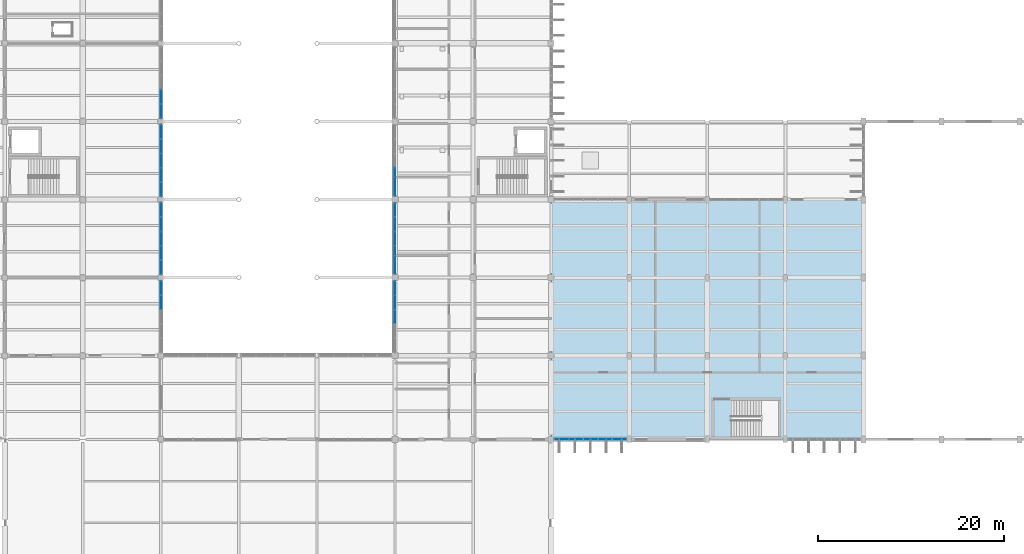
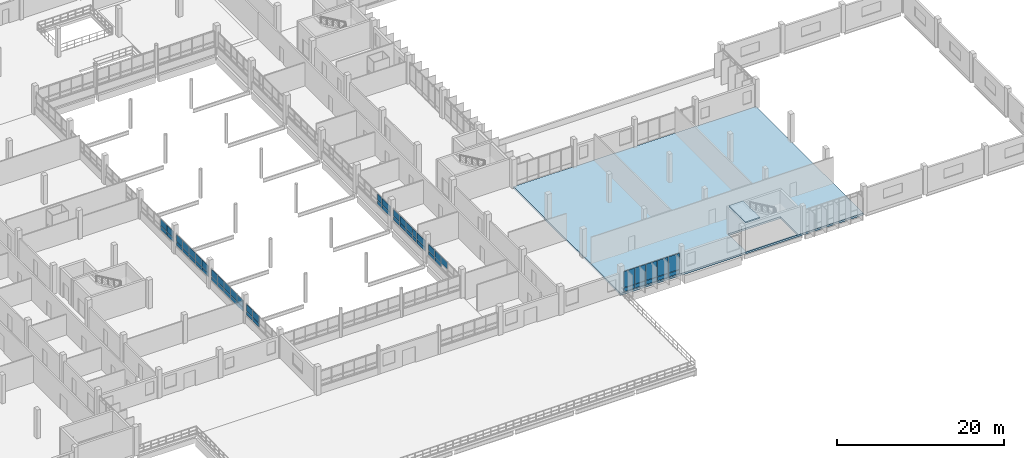
# One storey, part 74 of 101: 57 plates, 2 slabs, 1 opening, 9 elements without a shape of their own.
"""IFC4 building model written with IfcOpenShell, lengths in metres."""

from ifc_helpers import new_model, si_unit, direction, frame, origin, origin_2d, place, context, subcontext, project, spatial, polyline, rectangle, outline, extrude, material, layer, layer_set, type_object, element, aggregate, save


model = new_model("IFC4")

# Units and contexts
model_context = context("Model", 3, precision=1e-05, world=origin(), true_north=direction((0.0, 1.0)))
body_context = subcontext(model_context, "Body", "Model", "MODEL_VIEW")
ifc_project = project(units=[si_unit("LENGTHUNIT", "METRE"), si_unit("AREAUNIT", "SQUARE_METRE"), si_unit("VOLUMEUNIT", "CUBIC_METRE"), si_unit("PLANEANGLEUNIT", "RADIAN"), si_unit("MASSUNIT", "GRAM", prefix="KILO")], contexts=[model_context])

# Site, building, storey
site_placement = place(None, origin())
site = spatial("IfcSite", under=ifc_project, at=site_placement, CompositionType="ELEMENT")
building_placement = place(site_placement, origin())
building = spatial("IfcBuilding", under=site, at=building_placement, Name="Vireocrest Preparatory School", CompositionType="ELEMENT")
storey_placement = place(building_placement, frame((0.0, 0.0, 4.800048828125)))
storey = spatial("IfcBuildingStorey", under=building, at=storey_placement, Name="L01", CompositionType="ELEMENT", Elevation=4.800048828125)

# Curtain wall, plates
ifc_material_1 = material(Name="Thermally broken aluminium EN AW-6063-T6", Category="aluminium")
ifc_layer_1 = layer(ifc_material_1, 0.179931640625)
ifc_layer_set_1 = layer_set([ifc_layer_1], Name="Thermally broken aluminium EN AW-6063-T6")
curtain_wall_type_1 = type_object("IfcCurtainWallType", Name="North Street Curtain Wall 8400x4000", PredefinedType="USERDEFINED", material=ifc_layer_set_1)
curtain_wall_1_placement = place(storey_placement, origin())
curtain_wall_1 = element("IfcCurtainWall", 1, at=curtain_wall_1_placement, inside=storey, type_object=curtain_wall_type_1, Name="Curtain Wall CW05 CW_L01_CW05_1095_0180_048", ObjectType="CURTAIN WALL", PredefinedType="USERDEFINED")
ifc_material_2 = material(Name="Insulated triple low-e tempered safety glass", Category="glass")
ifc_layer_2 = layer(ifc_material_2, 0.074951171875)
ifc_layer_set_2 = layer_set([ifc_layer_2], Name="Insulated triple low-e tempered safety glass")
plate_type_1 = type_object("IfcPlateType", Name="Acoustic Triple-Glazed Lab Curtain Panel 75", PredefinedType="CURTAIN_PANEL", material=ifc_layer_set_2)
plate_1_placement = place(storey_placement, frame((110.33544921875, 18.0, 0.12744140625), z_axis=(0.0, 0.0, 1.0), x_axis=(1.0, 0.0, 0.0)))
plate_1 = element("IfcPlate", 2, at=plate_1_placement, type_object=plate_type_1, Name="CW Panel GL2 CW_L01_CW05_1095_0180_048-1-1", PredefinedType="CURTAIN_PANEL", context=body_context, shape_type="SweptSolid", body=[
    extrude(rectangle(XDim=1.486083984375, YDim=0.074951171875, at=origin_2d()), origin(), (0.0, 0.0, 1.0), 0.5400390625),
])
plate_2_placement = place(storey_placement, frame((110.33544921875, 18.0, 0.732421875), z_axis=(0.0, 0.0, 1.0), x_axis=(1.0, 0.0, 0.0)))
plate_2 = element("IfcPlate", 3, at=plate_2_placement, type_object=plate_type_1, Name="CW Panel GL2 CW_L01_CW05_1095_0180_048-1-2", PredefinedType="CURTAIN_PANEL", context=body_context, shape_type="SweptSolid", body=[
    extrude(rectangle(XDim=1.486083984375, YDim=0.074951171875, at=origin_2d()), origin(), (0.0, 0.0, 1.0), 2.35009765625),
])
plate_3_placement = place(storey_placement, frame((111.886474609375, 18.0, 0.12744140625), z_axis=(0.0, 0.0, 1.0), x_axis=(1.0, 0.0, 0.0)))
plate_3 = element("IfcPlate", 4, at=plate_3_placement, type_object=plate_type_1, Name="CW Panel GL2 CW_L01_CW05_1095_0180_048-2-1", PredefinedType="CURTAIN_PANEL", context=body_context, shape_type="SweptSolid", body=[
    extrude(rectangle(XDim=1.486083984375, YDim=0.074951171875, at=origin_2d()), origin(), (0.0, 0.0, 1.0), 0.5400390625),
])
plate_4_placement = place(storey_placement, frame((111.886474609375, 18.0, 0.732421875), z_axis=(0.0, 0.0, 1.0), x_axis=(1.0, 0.0, 0.0)))
plate_4 = element("IfcPlate", 5, at=plate_4_placement, type_object=plate_type_1, Name="CW Panel GL2 CW_L01_CW05_1095_0180_048-2-2", PredefinedType="CURTAIN_PANEL", context=body_context, shape_type="SweptSolid", body=[
    extrude(rectangle(XDim=1.486083984375, YDim=0.074951171875, at=origin_2d()), origin(), (0.0, 0.0, 1.0), 2.35009765625),
])
plate_5_placement = place(storey_placement, frame((113.4375, 18.0, 0.12744140625), z_axis=(0.0, 0.0, 1.0), x_axis=(1.0, 0.0, 0.0)))
plate_5 = element("IfcPlate", 6, at=plate_5_placement, type_object=plate_type_1, Name="CW Panel GL2 CW_L01_CW05_1095_0180_048-3-1", PredefinedType="CURTAIN_PANEL", context=body_context, shape_type="SweptSolid", body=[
    extrude(rectangle(XDim=1.486083984375, YDim=0.074951171875, at=origin_2d()), origin(), (0.0, 0.0, 1.0), 0.5400390625),
])
plate_6_placement = place(storey_placement, frame((113.4375, 18.0, 0.732421875), z_axis=(0.0, 0.0, 1.0), x_axis=(1.0, 0.0, 0.0)))
plate_6 = element("IfcPlate", 7, at=plate_6_placement, type_object=plate_type_1, Name="CW Panel GL2 CW_L01_CW05_1095_0180_048-3-2", PredefinedType="CURTAIN_PANEL", context=body_context, shape_type="SweptSolid", body=[
    extrude(rectangle(XDim=1.486083984375, YDim=0.074951171875, at=origin_2d()), origin(), (0.0, 0.0, 1.0), 2.35009765625),
])
plate_7_placement = place(storey_placement, frame((114.988525390625, 18.0, 0.12744140625), z_axis=(0.0, 0.0, 1.0), x_axis=(1.0, 0.0, 0.0)))
plate_7 = element("IfcPlate", 8, at=plate_7_placement, type_object=plate_type_1, Name="CW Panel GL2 CW_L01_CW05_1095_0180_048-4-1", PredefinedType="CURTAIN_PANEL", context=body_context, shape_type="SweptSolid", body=[
    extrude(rectangle(XDim=1.486083984375, YDim=0.074951171875, at=origin_2d()), origin(), (0.0, 0.0, 1.0), 0.5400390625),
])
plate_8_placement = place(storey_placement, frame((114.988525390625, 18.0, 0.732421875), z_axis=(0.0, 0.0, 1.0), x_axis=(1.0, 0.0, 0.0)))
plate_8 = element("IfcPlate", 9, at=plate_8_placement, type_object=plate_type_1, Name="CW Panel GL2 CW_L01_CW05_1095_0180_048-4-2", PredefinedType="CURTAIN_PANEL", context=body_context, shape_type="SweptSolid", body=[
    extrude(rectangle(XDim=1.486083984375, YDim=0.074951171875, at=origin_2d()), origin(), (0.0, 0.0, 1.0), 2.35009765625),
])
plate_9_placement = place(storey_placement, frame((116.53955078125, 18.0, 0.12744140625), z_axis=(0.0, 0.0, 1.0), x_axis=(1.0, 0.0, 0.0)))
plate_9 = element("IfcPlate", 10, at=plate_9_placement, type_object=plate_type_1, Name="CW Panel GL2 CW_L01_CW05_1095_0180_048-5-1", PredefinedType="CURTAIN_PANEL", context=body_context, shape_type="SweptSolid", body=[
    extrude(rectangle(XDim=1.486083984375, YDim=0.074951171875, at=origin_2d()), origin(), (0.0, 0.0, 1.0), 0.5400390625),
])
plate_10_placement = place(storey_placement, frame((116.53955078125, 18.0, 0.732421875), z_axis=(0.0, 0.0, 1.0), x_axis=(1.0, 0.0, 0.0)))
plate_10 = element("IfcPlate", 11, at=plate_10_placement, type_object=plate_type_1, Name="CW Panel GL2 CW_L01_CW05_1095_0180_048-5-2", PredefinedType="CURTAIN_PANEL", context=body_context, shape_type="SweptSolid", body=[
    extrude(rectangle(XDim=1.486083984375, YDim=0.074951171875, at=origin_2d()), origin(), (0.0, 0.0, 1.0), 2.35009765625),
])
aggregate(curtain_wall_1, [plate_1, plate_2, plate_3, plate_4, plate_5, plate_6, plate_7, plate_8, plate_9, plate_10])

# Slab, opening
ifc_material_3 = material(Name="Concrete 40 MPa", Category="concrete")
ifc_layer_3 = layer(ifc_material_3, 0.280029296875)
ifc_layer_set_3 = layer_set([ifc_layer_3], Name="Concrete 40 MPa")
slab_type_1 = type_object("IfcSlabType", Name="Commons and Corridor Suspended RC Slab 280", PredefinedType="FLOOR", material=ifc_layer_set_3)
slab_1_placement = place(storey_placement, frame((0.0, 0.0, -0.280029296875)))
slab_1 = element("IfcSlab", 12, at=slab_1_placement, inside=storey, type_object=slab_type_1, Name="Slab L01_EAST_LINK", PredefinedType="FLOOR", context=body_context, shape_type="SweptSolid", body=[
    extrude(outline(polyline([(109.199951171875, 18.0), (142.800048828125, 18.0), (142.800048828125, 43.800048828125), (109.199951171875, 43.800048828125), (109.199951171875, 18.0)])), origin(), (0.0, 0.0, 1.0), 0.280029296875),
])
opening_placement = place(slab_1_placement, frame((0.0, 0.0, -0.010009765625)))
element("IfcOpeningElement", 13, at=opening_placement, cuts=slab_1, Name="Slab Opening SLAB_L01_EAST_LINK-1", PredefinedType="OPENING", context=body_context, shape_type="SweptSolid", body=[
    extrude(outline(polyline([(126.60009765625, 18.14990234375), (133.800048828125, 18.14990234375), (133.800048828125, 22.35009765625), (126.60009765625, 22.35009765625), (126.60009765625, 18.14990234375)])), origin(), (0.0, 0.0, 1.0), 0.300048828125),
])

# Stair, slab
stair_type = type_object("IfcStairType", Name="Feature Library Stair 4200 Rise 1800 Wide", PredefinedType="HALF_TURN_STAIR", material=ifc_material_3)
stair_placement = place(storey_placement, origin())
stair = element("IfcStair", 14, at=stair_placement, inside=storey, type_object=stair_type, Name="Two-Run Stair ST6-L01", PredefinedType="HALF_TURN_STAIR")
ifc_layer_4 = layer(ifc_material_3, 0.179931640625)
ifc_layer_set_4 = layer_set([ifc_layer_4], Name="Concrete 40 MPa")
slab_type_2 = type_object("IfcSlabType", Name="Precast Concrete Stair Landing Slab 180", PredefinedType="LANDING", material=ifc_layer_set_4)
slab_2_placement = place(storey_placement, frame((0.0, 0.0, 4.02001953125)))
slab_2 = element("IfcSlab", 15, at=slab_2_placement, type_object=slab_type_2, Name="Stair Arrival Landing ST6-L01", PredefinedType="LANDING", context=body_context, shape_type="SweptSolid", body=[
    extrude(outline(polyline([(126.60498046875, 18.260009765625), (128.610107421875, 18.260009765625), (128.610107421875, 22.239990234375), (126.60498046875, 22.239990234375), (126.60498046875, 18.260009765625)])), origin(), (0.0, 0.0, 1.0), 0.179931640625),
])
aggregate(stair, [slab_2])

# Curtain wall, plates
ifc_layer_5 = layer(ifc_material_1, 0.179931640625)
ifc_layer_set_5 = layer_set([ifc_layer_5], Name="Thermally broken aluminium EN AW-6063-T6")
curtain_wall_type_2 = type_object("IfcCurtainWallType", Name="Court Banded Curtain Wall 8400x3000", PredefinedType="USERDEFINED", material=ifc_layer_set_5)
curtain_wall_2_placement = place(storey_placement, origin())
curtain_wall_2 = element("IfcCurtainWall", 16, at=curtain_wall_2_placement, inside=storey, type_object=curtain_wall_type_2, Name="Curtain Wall CW02 CW_L01_CW02_0672_0273_060", ObjectType="CURTAIN WALL", PredefinedType="USERDEFINED")
ifc_layer_6 = layer(ifc_material_2, 0.06005859375)
ifc_layer_set_6 = layer_set([ifc_layer_6], Name="Insulated triple low-e tempered safety glass")
plate_type_2 = type_object("IfcPlateType", Name="Triple-Glazed Vision Curtain Panel 60", PredefinedType="CURTAIN_PANEL", material=ifc_layer_set_6)
plate_11_placement = place(storey_placement, frame((67.199951171875, 32.74609375, 1.27734375), z_axis=(0.0, 0.0, 1.0), x_axis=(0.0, 1.0, 0.0)))
plate_11 = element("IfcPlate", 17, at=plate_11_placement, type_object=plate_type_2, Name="CW Panel GL1 CW_L01_CW02_0672_0273_060-4-1", PredefinedType="CURTAIN_PANEL", context=body_context, shape_type="SweptSolid", body=[
    extrude(rectangle(XDim=1.48095703125, YDim=0.06005859375, at=origin_2d()), origin(), (0.0, 0.0, 1.0), 0.5400390625),
])
plate_12_placement = place(storey_placement, frame((67.199951171875, 32.74609375, 1.88232421875), z_axis=(0.0, 0.0, 1.0), x_axis=(0.0, 1.0, 0.0)))
plate_12 = element("IfcPlate", 18, at=plate_12_placement, type_object=plate_type_2, Name="CW Panel GL1 CW_L01_CW02_0672_0273_060-4-2", PredefinedType="CURTAIN_PANEL", context=body_context, shape_type="SweptSolid", body=[
    extrude(rectangle(XDim=1.48095703125, YDim=0.06005859375, at=origin_2d()), origin(), (0.0, 0.0, 1.0), 0.989990234375),
])
plate_13_placement = place(storey_placement, frame((67.199951171875, 34.2919921875, 1.27734375), z_axis=(0.0, 0.0, 1.0), x_axis=(0.0, 1.0, 0.0)))
plate_13 = element("IfcPlate", 19, at=plate_13_placement, type_object=plate_type_2, Name="CW Panel GL1 CW_L01_CW02_0672_0273_060-5-1", PredefinedType="CURTAIN_PANEL", context=body_context, shape_type="SweptSolid", body=[
    extrude(rectangle(XDim=1.48095703125, YDim=0.06005859375, at=origin_2d()), origin(), (0.0, 0.0, 1.0), 0.5400390625),
])
plate_14_placement = place(storey_placement, frame((67.199951171875, 34.2919921875, 1.88232421875), z_axis=(0.0, 0.0, 1.0), x_axis=(0.0, 1.0, 0.0)))
plate_14 = element("IfcPlate", 20, at=plate_14_placement, type_object=plate_type_2, Name="CW Panel GL1 CW_L01_CW02_0672_0273_060-5-2", PredefinedType="CURTAIN_PANEL", context=body_context, shape_type="SweptSolid", body=[
    extrude(rectangle(XDim=1.48095703125, YDim=0.06005859375, at=origin_2d()), origin(), (0.0, 0.0, 1.0), 0.989990234375),
])
aggregate(curtain_wall_2, [plate_11, plate_12, plate_13, plate_14])

curtain_wall_3_placement = place(storey_placement, origin())
curtain_wall_3 = element("IfcCurtainWall", 21, at=curtain_wall_3_placement, inside=storey, type_object=curtain_wall_type_2, Name="Curtain Wall CW02 CW_L01_CW02_0672_0357_060", ObjectType="CURTAIN WALL", PredefinedType="USERDEFINED")
plate_15_placement = place(storey_placement, frame((67.199951171875, 36.508056640625, 1.27734375), z_axis=(0.0, 0.0, 1.0), x_axis=(0.0, 1.0, 0.0)))
plate_15 = element("IfcPlate", 22, at=plate_15_placement, type_object=plate_type_2, Name="CW Panel GL1 CW_L01_CW02_0672_0357_060-1-1", PredefinedType="CURTAIN_PANEL", context=body_context, shape_type="SweptSolid", body=[
    extrude(rectangle(XDim=1.48095703125, YDim=0.06005859375, at=origin_2d()), origin(), (0.0, 0.0, 1.0), 0.5400390625),
])
plate_16_placement = place(storey_placement, frame((67.199951171875, 36.508056640625, 1.88232421875), z_axis=(0.0, 0.0, 1.0), x_axis=(0.0, 1.0, 0.0)))
plate_16 = element("IfcPlate", 23, at=plate_16_placement, type_object=plate_type_2, Name="CW Panel GL1 CW_L01_CW02_0672_0357_060-1-2", PredefinedType="CURTAIN_PANEL", context=body_context, shape_type="SweptSolid", body=[
    extrude(rectangle(XDim=1.48095703125, YDim=0.06005859375, at=origin_2d()), origin(), (0.0, 0.0, 1.0), 1.02001953125),
])
plate_17_placement = place(storey_placement, frame((67.199951171875, 38.053955078125, 1.27734375), z_axis=(0.0, 0.0, 1.0), x_axis=(0.0, 1.0, 0.0)))
plate_17 = element("IfcPlate", 24, at=plate_17_placement, type_object=plate_type_2, Name="CW Panel GL1 CW_L01_CW02_0672_0357_060-2-1", PredefinedType="CURTAIN_PANEL", context=body_context, shape_type="SweptSolid", body=[
    extrude(rectangle(XDim=1.48095703125, YDim=0.06005859375, at=origin_2d()), origin(), (0.0, 0.0, 1.0), 0.5400390625),
])
plate_18_placement = place(storey_placement, frame((67.199951171875, 38.053955078125, 1.88232421875), z_axis=(0.0, 0.0, 1.0), x_axis=(0.0, 1.0, 0.0)))
plate_18 = element("IfcPlate", 25, at=plate_18_placement, type_object=plate_type_2, Name="CW Panel GL1 CW_L01_CW02_0672_0357_060-2-2", PredefinedType="CURTAIN_PANEL", context=body_context, shape_type="SweptSolid", body=[
    extrude(rectangle(XDim=1.48095703125, YDim=0.06005859375, at=origin_2d()), origin(), (0.0, 0.0, 1.0), 1.02001953125),
])
plate_19_placement = place(storey_placement, frame((67.199951171875, 39.60009765625, 1.27734375), z_axis=(0.0, 0.0, 1.0), x_axis=(0.0, 1.0, 0.0)))
plate_19 = element("IfcPlate", 26, at=plate_19_placement, type_object=plate_type_2, Name="CW Panel GL1 CW_L01_CW02_0672_0357_060-3-1", PredefinedType="CURTAIN_PANEL", context=body_context, shape_type="SweptSolid", body=[
    extrude(rectangle(XDim=1.48095703125, YDim=0.06005859375, at=origin_2d()), origin(), (0.0, 0.0, 1.0), 0.5400390625),
])
plate_20_placement = place(storey_placement, frame((67.199951171875, 39.60009765625, 1.88232421875), z_axis=(0.0, 0.0, 1.0), x_axis=(0.0, 1.0, 0.0)))
plate_20 = element("IfcPlate", 27, at=plate_20_placement, type_object=plate_type_2, Name="CW Panel GL1 CW_L01_CW02_0672_0357_060-3-2", PredefinedType="CURTAIN_PANEL", context=body_context, shape_type="SweptSolid", body=[
    extrude(rectangle(XDim=1.48095703125, YDim=0.06005859375, at=origin_2d()), origin(), (0.0, 0.0, 1.0), 1.02001953125),
])
plate_21_placement = place(storey_placement, frame((67.199951171875, 41.14599609375, 1.27734375), z_axis=(0.0, 0.0, 1.0), x_axis=(0.0, 1.0, 0.0)))
plate_21 = element("IfcPlate", 28, at=plate_21_placement, type_object=plate_type_2, Name="CW Panel GL1 CW_L01_CW02_0672_0357_060-4-1", PredefinedType="CURTAIN_PANEL", context=body_context, shape_type="SweptSolid", body=[
    extrude(rectangle(XDim=1.48095703125, YDim=0.06005859375, at=origin_2d()), origin(), (0.0, 0.0, 1.0), 0.5400390625),
])
plate_22_placement = place(storey_placement, frame((67.199951171875, 41.14599609375, 1.88232421875), z_axis=(0.0, 0.0, 1.0), x_axis=(0.0, 1.0, 0.0)))
plate_22 = element("IfcPlate", 29, at=plate_22_placement, type_object=plate_type_2, Name="CW Panel GL1 CW_L01_CW02_0672_0357_060-4-2", PredefinedType="CURTAIN_PANEL", context=body_context, shape_type="SweptSolid", body=[
    extrude(rectangle(XDim=1.48095703125, YDim=0.06005859375, at=origin_2d()), origin(), (0.0, 0.0, 1.0), 1.02001953125),
])
plate_23_placement = place(storey_placement, frame((67.199951171875, 42.69189453125, 1.27734375), z_axis=(0.0, 0.0, 1.0), x_axis=(0.0, 1.0, 0.0)))
plate_23 = element("IfcPlate", 30, at=plate_23_placement, type_object=plate_type_2, Name="CW Panel GL1 CW_L01_CW02_0672_0357_060-5-1", PredefinedType="CURTAIN_PANEL", context=body_context, shape_type="SweptSolid", body=[
    extrude(rectangle(XDim=1.48095703125, YDim=0.06005859375, at=origin_2d()), origin(), (0.0, 0.0, 1.0), 0.5400390625),
])
plate_24_placement = place(storey_placement, frame((67.199951171875, 42.69189453125, 1.88232421875), z_axis=(0.0, 0.0, 1.0), x_axis=(0.0, 1.0, 0.0)))
plate_24 = element("IfcPlate", 31, at=plate_24_placement, type_object=plate_type_2, Name="CW Panel GL1 CW_L01_CW02_0672_0357_060-5-2", PredefinedType="CURTAIN_PANEL", context=body_context, shape_type="SweptSolid", body=[
    extrude(rectangle(XDim=1.48095703125, YDim=0.06005859375, at=origin_2d()), origin(), (0.0, 0.0, 1.0), 1.02001953125),
])
aggregate(curtain_wall_3, [plate_15, plate_16, plate_17, plate_18, plate_19, plate_20, plate_21, plate_22, plate_23, plate_24])

curtain_wall_4_placement = place(storey_placement, origin())
curtain_wall_4 = element("IfcCurtainWall", 32, at=curtain_wall_4_placement, inside=storey, type_object=curtain_wall_type_2, Name="Curtain Wall CW02 CW_L01_CW02_0672_0441_060", ObjectType="CURTAIN WALL", PredefinedType="USERDEFINED")
plate_25_placement = place(storey_placement, frame((67.199951171875, 44.907958984375, 1.27734375), z_axis=(0.0, 0.0, 1.0), x_axis=(0.0, 1.0, 0.0)))
plate_25 = element("IfcPlate", 33, at=plate_25_placement, type_object=plate_type_2, Name="CW Panel GL1 CW_L01_CW02_0672_0441_060-1-1", PredefinedType="CURTAIN_PANEL", context=body_context, shape_type="SweptSolid", body=[
    extrude(rectangle(XDim=1.48095703125, YDim=0.06005859375, at=origin_2d()), origin(), (0.0, 0.0, 1.0), 0.5400390625),
])
plate_26_placement = place(storey_placement, frame((67.199951171875, 44.907958984375, 1.88232421875), z_axis=(0.0, 0.0, 1.0), x_axis=(0.0, 1.0, 0.0)))
plate_26 = element("IfcPlate", 34, at=plate_26_placement, type_object=plate_type_2, Name="CW Panel GL1 CW_L01_CW02_0672_0441_060-1-2", PredefinedType="CURTAIN_PANEL", context=body_context, shape_type="SweptSolid", body=[
    extrude(rectangle(XDim=1.48095703125, YDim=0.06005859375, at=origin_2d()), origin(), (0.0, 0.0, 1.0), 1.02001953125),
])
plate_27_placement = place(storey_placement, frame((67.199951171875, 46.4541015625, 1.27734375), z_axis=(0.0, 0.0, 1.0), x_axis=(0.0, 1.0, 0.0)))
plate_27 = element("IfcPlate", 35, at=plate_27_placement, type_object=plate_type_2, Name="CW Panel GL1 CW_L01_CW02_0672_0441_060-2-1", PredefinedType="CURTAIN_PANEL", context=body_context, shape_type="SweptSolid", body=[
    extrude(rectangle(XDim=1.48095703125, YDim=0.06005859375, at=origin_2d()), origin(), (0.0, 0.0, 1.0), 0.5400390625),
])
plate_28_placement = place(storey_placement, frame((67.199951171875, 46.4541015625, 1.88232421875), z_axis=(0.0, 0.0, 1.0), x_axis=(0.0, 1.0, 0.0)))
plate_28 = element("IfcPlate", 36, at=plate_28_placement, type_object=plate_type_2, Name="CW Panel GL1 CW_L01_CW02_0672_0441_060-2-2", PredefinedType="CURTAIN_PANEL", context=body_context, shape_type="SweptSolid", body=[
    extrude(rectangle(XDim=1.48095703125, YDim=0.06005859375, at=origin_2d()), origin(), (0.0, 0.0, 1.0), 1.02001953125),
])
plate_29_placement = place(storey_placement, frame((67.199951171875, 48.0, 1.27734375), z_axis=(0.0, 0.0, 1.0), x_axis=(0.0, 1.0, 0.0)))
plate_29 = element("IfcPlate", 37, at=plate_29_placement, type_object=plate_type_2, Name="CW Panel GL1 CW_L01_CW02_0672_0441_060-3-1", PredefinedType="CURTAIN_PANEL", context=body_context, shape_type="SweptSolid", body=[
    extrude(rectangle(XDim=1.48095703125, YDim=0.06005859375, at=origin_2d()), origin(), (0.0, 0.0, 1.0), 0.5400390625),
])
plate_30_placement = place(storey_placement, frame((67.199951171875, 48.0, 1.88232421875), z_axis=(0.0, 0.0, 1.0), x_axis=(0.0, 1.0, 0.0)))
plate_30 = element("IfcPlate", 38, at=plate_30_placement, type_object=plate_type_2, Name="CW Panel GL1 CW_L01_CW02_0672_0441_060-3-2", PredefinedType="CURTAIN_PANEL", context=body_context, shape_type="SweptSolid", body=[
    extrude(rectangle(XDim=1.48095703125, YDim=0.06005859375, at=origin_2d()), origin(), (0.0, 0.0, 1.0), 1.02001953125),
])
plate_31_placement = place(storey_placement, frame((67.199951171875, 49.5458984375, 1.27734375), z_axis=(0.0, 0.0, 1.0), x_axis=(0.0, 1.0, 0.0)))
plate_31 = element("IfcPlate", 39, at=plate_31_placement, type_object=plate_type_2, Name="CW Panel GL1 CW_L01_CW02_0672_0441_060-4-1", PredefinedType="CURTAIN_PANEL", context=body_context, shape_type="SweptSolid", body=[
    extrude(rectangle(XDim=1.48095703125, YDim=0.06005859375, at=origin_2d()), origin(), (0.0, 0.0, 1.0), 0.5400390625),
])
plate_32_placement = place(storey_placement, frame((67.199951171875, 49.5458984375, 1.88232421875), z_axis=(0.0, 0.0, 1.0), x_axis=(0.0, 1.0, 0.0)))
plate_32 = element("IfcPlate", 40, at=plate_32_placement, type_object=plate_type_2, Name="CW Panel GL1 CW_L01_CW02_0672_0441_060-4-2", PredefinedType="CURTAIN_PANEL", context=body_context, shape_type="SweptSolid", body=[
    extrude(rectangle(XDim=1.48095703125, YDim=0.06005859375, at=origin_2d()), origin(), (0.0, 0.0, 1.0), 1.02001953125),
])
plate_33_placement = place(storey_placement, frame((67.199951171875, 51.092041015625, 1.27734375), z_axis=(0.0, 0.0, 1.0), x_axis=(0.0, 1.0, 0.0)))
plate_33 = element("IfcPlate", 41, at=plate_33_placement, type_object=plate_type_2, Name="CW Panel GL1 CW_L01_CW02_0672_0441_060-5-1", PredefinedType="CURTAIN_PANEL", context=body_context, shape_type="SweptSolid", body=[
    extrude(rectangle(XDim=1.48095703125, YDim=0.06005859375, at=origin_2d()), origin(), (0.0, 0.0, 1.0), 0.5400390625),
])
plate_34_placement = place(storey_placement, frame((67.199951171875, 51.092041015625, 1.88232421875), z_axis=(0.0, 0.0, 1.0), x_axis=(0.0, 1.0, 0.0)))
plate_34 = element("IfcPlate", 42, at=plate_34_placement, type_object=plate_type_2, Name="CW Panel GL1 CW_L01_CW02_0672_0441_060-5-2", PredefinedType="CURTAIN_PANEL", context=body_context, shape_type="SweptSolid", body=[
    extrude(rectangle(XDim=1.48095703125, YDim=0.06005859375, at=origin_2d()), origin(), (0.0, 0.0, 1.0), 1.02001953125),
])
aggregate(curtain_wall_4, [plate_25, plate_26, plate_27, plate_28, plate_29, plate_30, plate_31, plate_32, plate_33, plate_34])

curtain_wall_5_placement = place(storey_placement, origin())
curtain_wall_5 = element("IfcCurtainWall", 43, at=curtain_wall_5_placement, inside=storey, type_object=curtain_wall_type_2, Name="Curtain Wall CW02 CW_L01_CW02_0672_0525_060", ObjectType="CURTAIN WALL", PredefinedType="USERDEFINED")
plate_35_placement = place(storey_placement, frame((67.199951171875, 53.30810546875, 1.27734375), z_axis=(0.0, 0.0, 1.0), x_axis=(0.0, 1.0, 0.0)))
plate_35 = element("IfcPlate", 44, at=plate_35_placement, type_object=plate_type_2, Name="CW Panel GL1 CW_L01_CW02_0672_0525_060-1-1", PredefinedType="CURTAIN_PANEL", context=body_context, shape_type="SweptSolid", body=[
    extrude(rectangle(XDim=1.48095703125, YDim=0.06005859375, at=origin_2d()), origin(), (0.0, 0.0, 1.0), 0.5400390625),
])
plate_36_placement = place(storey_placement, frame((67.199951171875, 53.30810546875, 1.88232421875), z_axis=(0.0, 0.0, 1.0), x_axis=(0.0, 1.0, 0.0)))
plate_36 = element("IfcPlate", 45, at=plate_36_placement, type_object=plate_type_2, Name="CW Panel GL1 CW_L01_CW02_0672_0525_060-1-2", PredefinedType="CURTAIN_PANEL", context=body_context, shape_type="SweptSolid", body=[
    extrude(rectangle(XDim=1.48095703125, YDim=0.06005859375, at=origin_2d()), origin(), (0.0, 0.0, 1.0), 0.969970703125),
])
plate_37_placement = place(storey_placement, frame((67.199951171875, 54.85400390625, 1.27734375), z_axis=(0.0, 0.0, 1.0), x_axis=(0.0, 1.0, 0.0)))
plate_37 = element("IfcPlate", 46, at=plate_37_placement, type_object=plate_type_2, Name="CW Panel GL1 CW_L01_CW02_0672_0525_060-2-1", PredefinedType="CURTAIN_PANEL", context=body_context, shape_type="SweptSolid", body=[
    extrude(rectangle(XDim=1.48095703125, YDim=0.06005859375, at=origin_2d()), origin(), (0.0, 0.0, 1.0), 0.5400390625),
])
plate_38_placement = place(storey_placement, frame((67.199951171875, 54.85400390625, 1.88232421875), z_axis=(0.0, 0.0, 1.0), x_axis=(0.0, 1.0, 0.0)))
plate_38 = element("IfcPlate", 47, at=plate_38_placement, type_object=plate_type_2, Name="CW Panel GL1 CW_L01_CW02_0672_0525_060-2-2", PredefinedType="CURTAIN_PANEL", context=body_context, shape_type="SweptSolid", body=[
    extrude(rectangle(XDim=1.48095703125, YDim=0.06005859375, at=origin_2d()), origin(), (0.0, 0.0, 1.0), 0.969970703125),
])
aggregate(curtain_wall_5, [plate_35, plate_36, plate_37, plate_38])

curtain_wall_6_placement = place(storey_placement, origin())
curtain_wall_6 = element("IfcCurtainWall", 48, at=curtain_wall_6_placement, inside=storey, type_object=curtain_wall_type_2, Name="Curtain Wall CW02 CW_L01_CW02_0924_0273_060", ObjectType="CURTAIN WALL", PredefinedType="USERDEFINED")
plate_39_placement = place(storey_placement, frame((92.39990234375, 31.199951171875, 1.882568359375), z_axis=(0.0, 0.0, 1.0), x_axis=(0.0, 1.0, 0.0)))
plate_39 = element("IfcPlate", 49, at=plate_39_placement, type_object=plate_type_2, Name="CW Panel GL1 CW_L01_CW02_0924_0273_060-3-2", PredefinedType="CURTAIN_PANEL", context=body_context, shape_type="SweptSolid", body=[
    extrude(rectangle(XDim=1.470947265625, YDim=0.06005859375, at=origin_2d()), origin(), (0.0, 0.0, 1.0), 0.9599609375),
])
plate_40_placement = place(storey_placement, frame((92.39990234375, 32.736083984375, 1.27734375), z_axis=(0.0, 0.0, 1.0), x_axis=(0.0, 1.0, 0.0)))
plate_40 = element("IfcPlate", 50, at=plate_40_placement, type_object=plate_type_2, Name="CW Panel GL1 CW_L01_CW02_0924_0273_060-4-1", PredefinedType="CURTAIN_PANEL", context=body_context, shape_type="SweptSolid", body=[
    extrude(rectangle(XDim=1.470947265625, YDim=0.06005859375, at=origin_2d()), origin(), (0.0, 0.0, 1.0), 0.5400390625),
])
plate_41_placement = place(storey_placement, frame((92.39990234375, 32.736083984375, 1.882568359375), z_axis=(0.0, 0.0, 1.0), x_axis=(0.0, 1.0, 0.0)))
plate_41 = element("IfcPlate", 51, at=plate_41_placement, type_object=plate_type_2, Name="CW Panel GL1 CW_L01_CW02_0924_0273_060-4-2", PredefinedType="CURTAIN_PANEL", context=body_context, shape_type="SweptSolid", body=[
    extrude(rectangle(XDim=1.470947265625, YDim=0.06005859375, at=origin_2d()), origin(), (0.0, 0.0, 1.0), 0.9599609375),
])
plate_42_placement = place(storey_placement, frame((92.39990234375, 34.27197265625, 1.27734375), z_axis=(0.0, 0.0, 1.0), x_axis=(0.0, 1.0, 0.0)))
plate_42 = element("IfcPlate", 52, at=plate_42_placement, type_object=plate_type_2, Name="CW Panel GL1 CW_L01_CW02_0924_0273_060-5-1", PredefinedType="CURTAIN_PANEL", context=body_context, shape_type="SweptSolid", body=[
    extrude(rectangle(XDim=1.470947265625, YDim=0.06005859375, at=origin_2d()), origin(), (0.0, 0.0, 1.0), 0.5400390625),
])
plate_43_placement = place(storey_placement, frame((92.39990234375, 34.27197265625, 1.882568359375), z_axis=(0.0, 0.0, 1.0), x_axis=(0.0, 1.0, 0.0)))
plate_43 = element("IfcPlate", 53, at=plate_43_placement, type_object=plate_type_2, Name="CW Panel GL1 CW_L01_CW02_0924_0273_060-5-2", PredefinedType="CURTAIN_PANEL", context=body_context, shape_type="SweptSolid", body=[
    extrude(rectangle(XDim=1.470947265625, YDim=0.06005859375, at=origin_2d()), origin(), (0.0, 0.0, 1.0), 0.9599609375),
])
aggregate(curtain_wall_6, [plate_39, plate_40, plate_41, plate_42, plate_43])

curtain_wall_7_placement = place(storey_placement, origin())
curtain_wall_7 = element("IfcCurtainWall", 54, at=curtain_wall_7_placement, inside=storey, type_object=curtain_wall_type_2, Name="Curtain Wall CW02 CW_L01_CW02_0924_0357_060", ObjectType="CURTAIN WALL", PredefinedType="USERDEFINED")
plate_44_placement = place(storey_placement, frame((92.39990234375, 36.780029296875, 1.27734375), z_axis=(0.0, 0.0, 1.0), x_axis=(0.0, 1.0, 0.0)))
plate_44 = element("IfcPlate", 55, at=plate_44_placement, type_object=plate_type_2, Name="CW Panel GL1 CW_L01_CW02_0924_0357_060-1-1", PredefinedType="CURTAIN_PANEL", context=body_context, shape_type="SweptSolid", body=[
    extrude(rectangle(XDim=1.97509765625, YDim=0.06005859375, at=origin_2d()), origin(), (0.0, 0.0, 1.0), 0.5400390625),
])
plate_45_placement = place(storey_placement, frame((92.39990234375, 36.780029296875, 1.882568359375), z_axis=(0.0, 0.0, 1.0), x_axis=(0.0, 1.0, 0.0)))
plate_45 = element("IfcPlate", 56, at=plate_45_placement, type_object=plate_type_2, Name="CW Panel GL1 CW_L01_CW02_0924_0357_060-1-2", PredefinedType="CURTAIN_PANEL", context=body_context, shape_type="SweptSolid", body=[
    extrude(rectangle(XDim=1.97509765625, YDim=0.06005859375, at=origin_2d()), origin(), (0.0, 0.0, 1.0), 0.9599609375),
])
plate_46_placement = place(storey_placement, frame((92.39990234375, 38.31591796875, 1.27734375), z_axis=(0.0, 0.0, 1.0), x_axis=(0.0, 1.0, 0.0)))
plate_46 = element("IfcPlate", 57, at=plate_46_placement, type_object=plate_type_2, Name="CW Panel GL1 CW_L01_CW02_0924_0357_060-2-1", PredefinedType="CURTAIN_PANEL", context=body_context, shape_type="SweptSolid", body=[
    extrude(rectangle(XDim=0.967041015625, YDim=0.06005859375, at=origin_2d()), origin(), (0.0, 0.0, 1.0), 0.5400390625),
])
plate_47_placement = place(storey_placement, frame((92.39990234375, 38.31591796875, 1.882568359375), z_axis=(0.0, 0.0, 1.0), x_axis=(0.0, 1.0, 0.0)))
plate_47 = element("IfcPlate", 58, at=plate_47_placement, type_object=plate_type_2, Name="CW Panel GL1 CW_L01_CW02_0924_0357_060-2-2", PredefinedType="CURTAIN_PANEL", context=body_context, shape_type="SweptSolid", body=[
    extrude(rectangle(XDim=0.967041015625, YDim=0.06005859375, at=origin_2d()), origin(), (0.0, 0.0, 1.0), 0.9599609375),
])
plate_48_placement = place(storey_placement, frame((92.39990234375, 39.60009765625, 1.27734375), z_axis=(0.0, 0.0, 1.0), x_axis=(0.0, 1.0, 0.0)))
plate_48 = element("IfcPlate", 59, at=plate_48_placement, type_object=plate_type_2, Name="CW Panel GL1 CW_L01_CW02_0924_0357_060-3-1", PredefinedType="CURTAIN_PANEL", context=body_context, shape_type="SweptSolid", body=[
    extrude(rectangle(XDim=1.470947265625, YDim=0.06005859375, at=origin_2d()), origin(), (0.0, 0.0, 1.0), 0.5400390625),
])
plate_49_placement = place(storey_placement, frame((92.39990234375, 39.60009765625, 1.882568359375), z_axis=(0.0, 0.0, 1.0), x_axis=(0.0, 1.0, 0.0)))
plate_49 = element("IfcPlate", 60, at=plate_49_placement, type_object=plate_type_2, Name="CW Panel GL1 CW_L01_CW02_0924_0357_060-3-2", PredefinedType="CURTAIN_PANEL", context=body_context, shape_type="SweptSolid", body=[
    extrude(rectangle(XDim=1.470947265625, YDim=0.06005859375, at=origin_2d()), origin(), (0.0, 0.0, 1.0), 0.9599609375),
])
plate_50_placement = place(storey_placement, frame((92.39990234375, 41.135986328125, 1.27734375), z_axis=(0.0, 0.0, 1.0), x_axis=(0.0, 1.0, 0.0)))
plate_50 = element("IfcPlate", 61, at=plate_50_placement, type_object=plate_type_2, Name="CW Panel GL1 CW_L01_CW02_0924_0357_060-4-1", PredefinedType="CURTAIN_PANEL", context=body_context, shape_type="SweptSolid", body=[
    extrude(rectangle(XDim=1.470947265625, YDim=0.06005859375, at=origin_2d()), origin(), (0.0, 0.0, 1.0), 0.5400390625),
])
plate_51_placement = place(storey_placement, frame((92.39990234375, 41.135986328125, 1.882568359375), z_axis=(0.0, 0.0, 1.0), x_axis=(0.0, 1.0, 0.0)))
plate_51 = element("IfcPlate", 62, at=plate_51_placement, type_object=plate_type_2, Name="CW Panel GL1 CW_L01_CW02_0924_0357_060-4-2", PredefinedType="CURTAIN_PANEL", context=body_context, shape_type="SweptSolid", body=[
    extrude(rectangle(XDim=1.470947265625, YDim=0.06005859375, at=origin_2d()), origin(), (0.0, 0.0, 1.0), 0.9599609375),
])
plate_52_placement = place(storey_placement, frame((92.39990234375, 42.672119140625, 1.27734375), z_axis=(0.0, 0.0, 1.0), x_axis=(0.0, 1.0, 0.0)))
plate_52 = element("IfcPlate", 63, at=plate_52_placement, type_object=plate_type_2, Name="CW Panel GL1 CW_L01_CW02_0924_0357_060-5-1", PredefinedType="CURTAIN_PANEL", context=body_context, shape_type="SweptSolid", body=[
    extrude(rectangle(XDim=1.470947265625, YDim=0.06005859375, at=origin_2d()), origin(), (0.0, 0.0, 1.0), 0.5400390625),
])
plate_53_placement = place(storey_placement, frame((92.39990234375, 42.672119140625, 1.882568359375), z_axis=(0.0, 0.0, 1.0), x_axis=(0.0, 1.0, 0.0)))
plate_53 = element("IfcPlate", 64, at=plate_53_placement, type_object=plate_type_2, Name="CW Panel GL1 CW_L01_CW02_0924_0357_060-5-2", PredefinedType="CURTAIN_PANEL", context=body_context, shape_type="SweptSolid", body=[
    extrude(rectangle(XDim=1.470947265625, YDim=0.06005859375, at=origin_2d()), origin(), (0.0, 0.0, 1.0), 0.9599609375),
])
aggregate(curtain_wall_7, [plate_44, plate_45, plate_46, plate_47, plate_48, plate_49, plate_50, plate_51, plate_52, plate_53])

curtain_wall_8_placement = place(storey_placement, origin())
curtain_wall_8 = element("IfcCurtainWall", 65, at=curtain_wall_8_placement, inside=storey, type_object=curtain_wall_type_2, Name="Curtain Wall CW02 CW_L01_CW02_0924_0441_060", ObjectType="CURTAIN WALL", PredefinedType="USERDEFINED")
plate_54_placement = place(storey_placement, frame((92.39990234375, 45.179931640625, 1.27734375), z_axis=(0.0, 0.0, 1.0), x_axis=(0.0, 1.0, 0.0)))
plate_54 = element("IfcPlate", 66, at=plate_54_placement, type_object=plate_type_2, Name="CW Panel GL1 CW_L01_CW02_0924_0441_060-1-1", PredefinedType="CURTAIN_PANEL", context=body_context, shape_type="SweptSolid", body=[
    extrude(rectangle(XDim=1.97509765625, YDim=0.06005859375, at=origin_2d()), origin(), (0.0, 0.0, 1.0), 0.5400390625),
])
plate_55_placement = place(storey_placement, frame((92.39990234375, 45.179931640625, 1.88232421875), z_axis=(0.0, 0.0, 1.0), x_axis=(0.0, 1.0, 0.0)))
plate_55 = element("IfcPlate", 67, at=plate_55_placement, type_object=plate_type_2, Name="CW Panel GL1 CW_L01_CW02_0924_0441_060-1-2", PredefinedType="CURTAIN_PANEL", context=body_context, shape_type="SweptSolid", body=[
    extrude(rectangle(XDim=1.97509765625, YDim=0.06005859375, at=origin_2d()), origin(), (0.0, 0.0, 1.0), 0.909912109375),
])
plate_56_placement = place(storey_placement, frame((92.39990234375, 46.716064453125, 1.27734375), z_axis=(0.0, 0.0, 1.0), x_axis=(0.0, 1.0, 0.0)))
plate_56 = element("IfcPlate", 68, at=plate_56_placement, type_object=plate_type_2, Name="CW Panel GL1 CW_L01_CW02_0924_0441_060-2-1", PredefinedType="CURTAIN_PANEL", context=body_context, shape_type="SweptSolid", body=[
    extrude(rectangle(XDim=0.967041015625, YDim=0.06005859375, at=origin_2d()), origin(), (0.0, 0.0, 1.0), 0.5400390625),
])
plate_57_placement = place(storey_placement, frame((92.39990234375, 46.716064453125, 1.88232421875), z_axis=(0.0, 0.0, 1.0), x_axis=(0.0, 1.0, 0.0)))
plate_57 = element("IfcPlate", 69, at=plate_57_placement, type_object=plate_type_2, Name="CW Panel GL1 CW_L01_CW02_0924_0441_060-2-2", PredefinedType="CURTAIN_PANEL", context=body_context, shape_type="SweptSolid", body=[
    extrude(rectangle(XDim=0.967041015625, YDim=0.06005859375, at=origin_2d()), origin(), (0.0, 0.0, 1.0), 0.909912109375),
])
aggregate(curtain_wall_8, [plate_54, plate_55, plate_56, plate_57])

save(model, "model.ifc")
